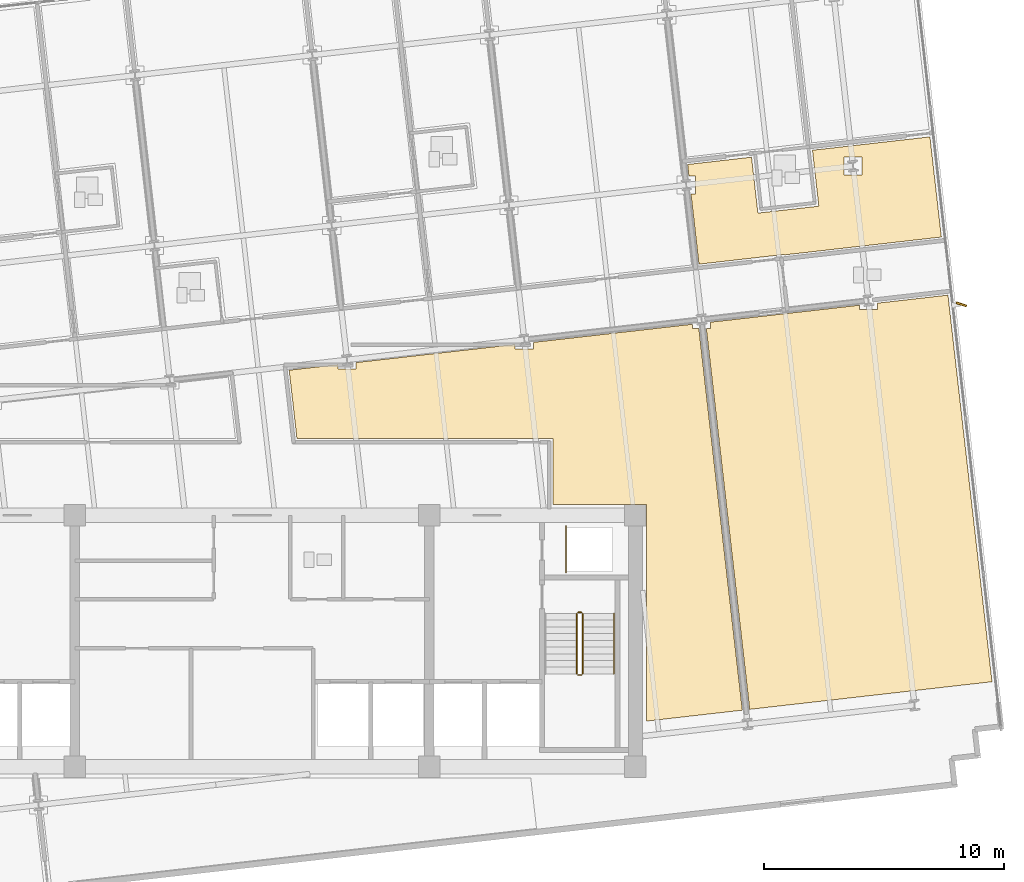
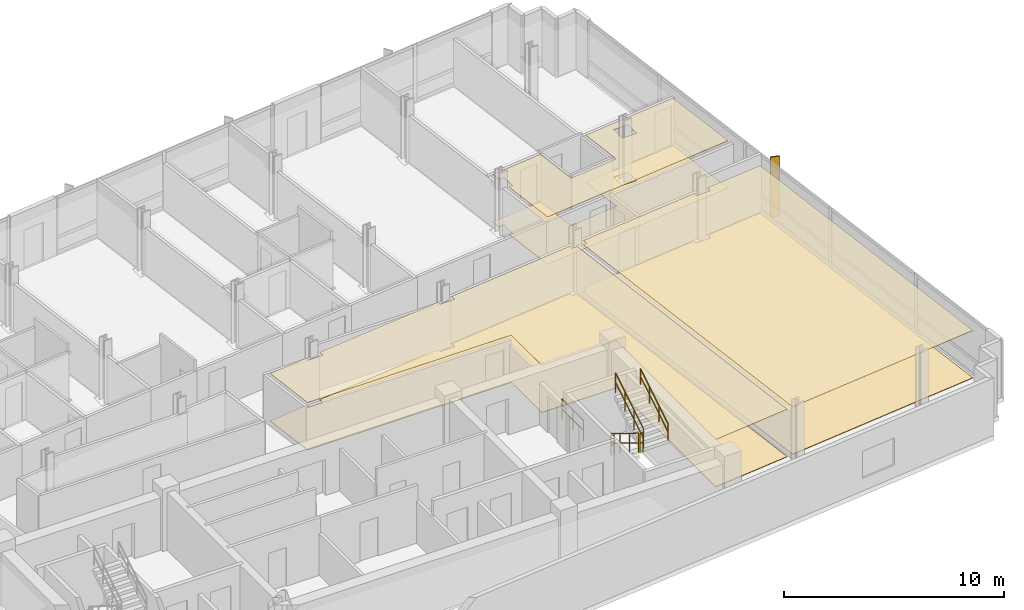
# One storey, part 14 of 16: 6 coverings, 6 railings, 1 shading device.
"""IFC4 building model written with IfcOpenShell, lengths in metres."""

import ifcopenshell
import ifcopenshell.guid

model = None  # the IFC model being written
_history = None  # IfcOwnerHistory: only IFC2X3 demands one
_inside = {}  # id of a spatial element -> (the spatial element, [elements in it])
_under = {}  # id of a project, library or spatial element -> (it, [spatial elements below it])
_declared = {}  # id of a project -> (the project, [libraries it declares])
_typed = {}  # id of a type object -> (the type object, [elements of that type])
_made_of = {}  # id of a material, layer set ... -> (it, [elements and type objects made of it])


def new_model(schema):
    """Start an empty IFC model of exactly this schema.

    Asked for "IFC4X3", IfcOpenShell would pick the latest addendum, in which some entities
    have other attributes; the version numbers below select the first issue.
    IFC2X3 requires an IfcOwnerHistory on every rooted entity: one is made here for all.
    """
    global model, _history
    if schema == "IFC4X3":
        model = ifcopenshell.file(schema_version=(4, 3, 0, 0))
    else:
        model = ifcopenshell.file(schema=schema)
    _inside.clear()
    _under.clear()
    _declared.clear()
    _typed.clear()
    _made_of.clear()
    _history = None
    if model.schema == "IFC2X3":
        org = make("IfcOrganization", Name="unknown")
        user = make(
            "IfcPersonAndOrganization",
            ThePerson=make("IfcPerson", FamilyName="unknown"),
            TheOrganization=org,
        )
        app = make(
            "IfcApplication",
            ApplicationDeveloper=org,
            Version="unknown",
            ApplicationFullName="unknown",
            ApplicationIdentifier="unknown",
        )
        _history = make(
            "IfcOwnerHistory",
            OwningUser=user,
            OwningApplication=app,
            ChangeAction="ADDED",
            CreationDate=0,
        )
    return model


def make(cls, **values):
    """One entity of the class cls with the attributes given. An attribute that is None is left unset."""
    return model.create_entity(
        cls, **{name: value for name, value in values.items() if value is not None}
    )


def rooted(cls, **values):
    """An entity with a GlobalId (a new one), such as an element, a storey or a relation."""
    return make(cls, GlobalId=ifcopenshell.guid.new(), OwnerHistory=_history, **values)


def si_unit(unit_type, name, prefix=None):
    """IfcSIUnit, for example si_unit("LENGTHUNIT", "METRE", prefix="MILLI")."""
    return make("IfcSIUnit", UnitType=unit_type, Prefix=prefix, Name=name)


def assignment(units):
    """IfcUnitAssignment: the units of a project."""
    return None if units is None else make("IfcUnitAssignment", Units=units)


def point(xyz):
    """IfcCartesianPoint."""
    return None if xyz is None else make("IfcCartesianPoint", Coordinates=xyz)


def direction(xyz):
    """IfcDirection."""
    return None if xyz is None else make("IfcDirection", DirectionRatios=xyz)


def frame(location, z_axis=None, x_axis=None):
    """IfcAxis2Placement3D, a coordinate frame: its origin and axes. An axis left out is left unset."""
    return make(
        "IfcAxis2Placement3D",
        Location=point(location),
        Axis=direction(z_axis),
        RefDirection=direction(x_axis),
    )


def frame_2d(location, x_axis=None):
    """IfcAxis2Placement2D, a coordinate frame in the plane: its origin and x axis."""
    return make(
        "IfcAxis2Placement2D", Location=point(location), RefDirection=direction(x_axis)
    )


def origin():
    """The frame at (0, 0, 0) with its axes left unset."""
    return frame((0.0, 0.0, 0.0))


def origin_2d():
    """The frame at (0, 0) in the plane with its x axis left unset."""
    return frame_2d((0.0, 0.0))


def place(relative_to, where):
    """IfcLocalPlacement: puts the frame where relative to a parent placement (None: the world)."""
    return make(
        "IfcLocalPlacement", PlacementRelTo=relative_to, RelativePlacement=where
    )


def context(
    kind, dimensions, precision=None, world=None, true_north=None, identifier=None
):
    """IfcGeometricRepresentationContext, for example the 3D "Model" context."""
    return make(
        "IfcGeometricRepresentationContext",
        ContextIdentifier=identifier,
        ContextType=kind,
        CoordinateSpaceDimension=dimensions,
        Precision=precision,
        WorldCoordinateSystem=world,
        TrueNorth=true_north,
    )


def subcontext(parent, identifier, kind, view, scale=None):
    """IfcGeometricRepresentationSubContext, for example "Body" below "Model"."""
    return make(
        "IfcGeometricRepresentationSubContext",
        ContextIdentifier=identifier,
        ContextType=kind,
        ParentContext=parent,
        TargetScale=scale,
        TargetView=view,
    )


def project(units=None, contexts=None):
    """IfcProject with its units and contexts."""
    return rooted(
        "IfcProject",
        Name="project",
        RepresentationContexts=contexts,
        UnitsInContext=assignment(units),
    )


def spatial(cls, under=None, at=None, **own):
    """A site, building, storey or space (cls), placed at a placement, below another one or the project."""
    s = rooted(cls, ObjectPlacement=at, **own)
    if under is not None:
        _under.setdefault(under.id(), (under, []))[1].append(s)
    return s


def polyline(points):
    """IfcPolyline through the points."""
    return make("IfcPolyline", Points=[point(p) for p in points])


def profile(cls, at=None, kind="AREA", **sizes):
    """A parametric profile (cls). Its sizes go by their IFC names, for example OverallWidth=200.0."""
    return make(cls, ProfileType=kind, Position=at, **sizes)


def rectangle(**sizes):
    """IfcRectangleProfileDef."""
    return profile("IfcRectangleProfileDef", **sizes)


def circle(**sizes):
    """IfcCircleProfileDef."""
    return profile("IfcCircleProfileDef", **sizes)


def outline(outer, holes=None, kind="AREA"):
    """IfcArbitraryClosedProfileDef: a profile drawn as a closed curve; with holes, ...WithVoids."""
    if holes is None:
        return make("IfcArbitraryClosedProfileDef", ProfileType=kind, OuterCurve=outer)
    return make(
        "IfcArbitraryProfileDefWithVoids",
        ProfileType=kind,
        OuterCurve=outer,
        InnerCurves=holes,
    )


def extrude(swept, where, along, depth):
    """IfcExtrudedAreaSolid: the profile swept, set in the frame where, extruded along a direction by depth."""
    return make(
        "IfcExtrudedAreaSolid",
        SweptArea=swept,
        Position=where,
        ExtrudedDirection=direction(along),
        Depth=depth,
    )


def shape(context_of_items, identifier, shape_type, items):
    """IfcShapeRepresentation: the items that make up one representation, for example the "Body"."""
    return make(
        "IfcShapeRepresentation",
        ContextOfItems=context_of_items,
        RepresentationIdentifier=identifier,
        RepresentationType=shape_type,
        Items=items,
    )


def material(Name=None, Category=None):
    """IfcMaterial."""
    return make("IfcMaterial", Name=Name, Category=Category)


def layer(
    of_material, thickness, ventilated=None, Name=None, Category=None, Priority=None
):
    """IfcMaterialLayer: one layer of a wall or slab, of a material (None: an air gap)."""
    return make(
        "IfcMaterialLayer",
        Material=of_material,
        LayerThickness=thickness,
        IsVentilated=ventilated,
        Name=Name,
        Category=Category,
        Priority=Priority,
    )


def layer_set(layers, Name=None):
    """IfcMaterialLayerSet."""
    return make("IfcMaterialLayerSet", MaterialLayers=layers, LayerSetName=Name)


def made_of(thing, what):
    """Note that an element or type object is made of a material, layer set ...; save() writes the relation."""
    if what is not None:
        _made_of.setdefault(what.id(), (what, []))[1].append(thing)
    return thing


def type_object(cls, material=None, **own):
    """A type object (cls), such as IfcWallType, which elements share."""
    return made_of(rooted(cls, **own), material)


def element(
    cls,
    number,
    at=None,
    inside=None,
    cuts=None,
    type_object=None,
    material=None,
    context=None,
    identifier="Body",
    shape_type=None,
    held_by="IfcProductDefinitionShape",
    body=None,
    shapes=None,
    **own,
):
    """One element of the class cls, such as IfcWall. Its Tag is "e" and its number.

    at: its placement. inside: the storey or other place that contains it. cuts: it is an
    opening in that element (IfcRelVoidsElement). A single representation is given by context,
    identifier, shape_type and body (its items); several are given by shapes. held_by: the class
    of the entity that holds the representations. save() writes the other relations.
    """
    e = rooted(cls, Tag="e%d" % number, ObjectPlacement=at, **own)
    if body is not None:
        shapes = [shape(context, identifier, shape_type, body)]
    if shapes is not None:
        e.Representation = make(held_by, Representations=shapes)
    if inside is not None:
        _inside.setdefault(inside.id(), (inside, []))[1].append(e)
    if cuts is not None:
        rooted(
            "IfcRelVoidsElement", RelatingBuildingElement=cuts, RelatedOpeningElement=e
        )
    if type_object is not None:
        _typed.setdefault(type_object.id(), (type_object, []))[1].append(e)
    return made_of(e, material)


def aggregate(whole, parts):
    """IfcRelAggregates: a whole, such as a stair, and the parts it consists of."""
    return rooted("IfcRelAggregates", RelatingObject=whole, RelatedObjects=parts)


def save(model, path):
    """Write the relations noted so far, then the file.

    IfcRelAggregates (storeys below a building ...), IfcRelContainedInSpatialStructure (elements
    in a storey), IfcRelDefinesByType, IfcRelAssociatesMaterial and IfcRelDeclares: one each for
    every whole, place, type object, material and project.
    """
    for whole, parts in _under.values():
        aggregate(whole, parts)
    for where, things in _inside.values():
        rooted(
            "IfcRelContainedInSpatialStructure",
            RelatedElements=things,
            RelatingStructure=where,
        )
    for kind, things in _typed.values():
        rooted("IfcRelDefinesByType", RelatedObjects=things, RelatingType=kind)
    for what, things in _made_of.values():
        rooted("IfcRelAssociatesMaterial", RelatedObjects=things, RelatingMaterial=what)
    for by, libraries in _declared.values():
        rooted("IfcRelDeclares", RelatingContext=by, RelatedDefinitions=libraries)
    model.write(path)


model = new_model("IFC4")

# Units and contexts
model_context = context("Model", 3, precision=1e-05, world=origin(), true_north=direction((0.0, 1.0)))
body_context = subcontext(model_context, "Body", "Model", "MODEL_VIEW")
ifc_project = project(units=[si_unit("LENGTHUNIT", "METRE"), si_unit("AREAUNIT", "SQUARE_METRE"), si_unit("VOLUMEUNIT", "CUBIC_METRE"), si_unit("PLANEANGLEUNIT", "RADIAN"), si_unit("MASSUNIT", "GRAM", prefix="KILO")], contexts=[model_context])

# Site, building, storey
site_placement = place(None, origin())
site = spatial("IfcSite", under=ifc_project, at=site_placement, CompositionType="ELEMENT")
building_placement = place(site_placement, origin())
building = spatial("IfcBuilding", under=site, at=building_placement, Name="Solmavex Isthmus Hotel", CompositionType="ELEMENT")
storey_placement = place(building_placement, frame((0.0, 0.0, 205.5)))
storey = spatial("IfcBuildingStorey", under=building, at=storey_placement, Name="L55", CompositionType="ELEMENT", Elevation=205.5)

# Coverings
ifc_material_1 = material(Name="Gypsum plasterboard lining", Category="gypsum")
ifc_layer_1 = layer(ifc_material_1, 0.030029296875)
ifc_layer_set_1 = layer_set([ifc_layer_1], Name="Gypsum plasterboard lining")
covering_type_1 = type_object("IfcCoveringType", Name="COV-CEIL-GYP", PredefinedType="CEILING", material=ifc_layer_set_1)
covering_1_placement = place(storey_placement, frame((0.0, 0.0, 2.6201171875)))
element("IfcCovering", 1, at=covering_1_placement, inside=storey, type_object=covering_type_1, Name="Suspended Acoustic Ceiling L55-ST06-FY", PredefinedType="CEILING", context=body_context, shape_type="SweptSolid", body=[
    extrude(outline(polyline([(18.177490234375, 12.14111328125), (18.23193359375, 11.6640625), (18.499267578125, 11.6640625), (18.499267578125, 10.904052734375), (18.318359375, 10.904052734375), (18.651611328125, 7.97998046875), (22.228515625, 8.3876953125), (22.230712890625, 8.36767578125), (28.766357421875, 9.1123046875), (28.2900390625, 13.293212890625), (23.3876953125, 12.73486328125), (23.65380859375, 10.39990234375), (21.1103515625, 10.110107421875), (20.84423828125, 12.445068359375), (18.177490234375, 12.14111328125)]), holes=[polyline([(24.7021484375, 11.697265625), (24.7021484375, 12.457275390625), (25.462158203125, 12.457275390625), (25.462158203125, 11.697265625), (24.7021484375, 11.697265625)])]), origin(), (0.0, 0.0, 1.0), 0.02978515625),
])
covering_2_placement = place(storey_placement, frame((0.0, 0.0, 2.6201171875)))
element("IfcCovering", 2, at=covering_2_placement, inside=storey, type_object=covering_type_1, Name="Suspended Acoustic Ceiling L55-FL13", PredefinedType="CEILING", context=body_context, shape_type="SweptSolid", body=[
    extrude(outline(polyline([(4.34228515625, 3.873779296875), (4.34228515625, 3.6064453125), (3.582275390625, 3.6064453125), (3.582275390625, 3.787109375), (1.547607421875, 3.555419921875), (1.872314453125, 0.705078125), (12.554931640625, 0.705078125), (12.554931640625, -2.044921875), (16.455078125, -2.044921875), (16.455078125, -11.09130859375), (20.46044921875, -10.634765625), (18.645751953125, 5.292236328125), (18.378662109375, 5.292236328125), (18.378662109375, 5.472900390625), (11.740478515625, 4.716796875), (11.740478515625, 4.449462890625), (10.98046875, 4.449462890625), (10.98046875, 4.630126953125), (4.34228515625, 3.873779296875)])), origin(), (0.0, 0.0, 1.0), 0.02978515625),
])
covering_3_placement = place(storey_placement, frame((0.0, 0.0, 2.6201171875)))
element("IfcCovering", 3, at=covering_3_placement, inside=storey, type_object=covering_type_1, Name="Suspended Acoustic Ceiling L55-FL14", PredefinedType="CEILING", context=body_context, shape_type="SweptSolid", body=[
    extrude(outline(polyline([(19.138427734375, 5.5595703125), (19.138427734375, 5.292236328125), (18.957763671875, 5.292236328125), (20.7685546875, -10.599853515625), (30.881103515625, -9.447509765625), (29.042724609375, 6.68798828125), (26.1015625, 6.35302734375), (26.1015625, 6.085693359375), (25.341552734375, 6.085693359375), (25.341552734375, 6.266357421875), (19.138427734375, 5.5595703125)])), origin(), (0.0, 0.0, 1.0), 0.02978515625),
])
ifc_material_2 = material(Name="Travertine natural stone", Category="masonry")
ifc_layer_2 = layer(ifc_material_2, 0.02490234375)
ifc_layer_set_2 = layer_set([ifc_layer_2], Name="Travertine natural stone")
covering_type_2 = type_object("IfcCoveringType", Name="COV-FLOR-STN", PredefinedType="FLOORING", material=ifc_layer_set_2)
covering_4_placement = place(storey_placement, origin())
element("IfcCovering", 4, at=covering_4_placement, inside=storey, type_object=covering_type_2, Name="Stone and Timber Floor Finish L55-ST06-FY", PredefinedType="FLOORING", context=body_context, shape_type="SweptSolid", body=[
    extrude(outline(polyline([(18.177490234375, 12.14111328125), (18.23193359375, 11.6640625), (18.499267578125, 11.6640625), (18.499267578125, 10.904052734375), (18.318359375, 10.904052734375), (18.651611328125, 7.97998046875), (22.228515625, 8.3876953125), (22.230712890625, 8.36767578125), (28.766357421875, 9.1123046875), (28.2900390625, 13.293212890625), (23.3876953125, 12.73486328125), (23.65380859375, 10.39990234375), (21.1103515625, 10.110107421875), (20.84423828125, 12.445068359375), (18.177490234375, 12.14111328125)]), holes=[polyline([(24.7021484375, 11.697265625), (24.7021484375, 12.457275390625), (25.462158203125, 12.457275390625), (25.462158203125, 11.697265625), (24.7021484375, 11.697265625)])]), origin(), (0.0, 0.0, 1.0), 0.02490234375),
])
covering_5_placement = place(storey_placement, origin())
element("IfcCovering", 5, at=covering_5_placement, inside=storey, type_object=covering_type_2, Name="Stone and Timber Floor Finish L55-FL13", PredefinedType="FLOORING", context=body_context, shape_type="SweptSolid", body=[
    extrude(outline(polyline([(4.34228515625, 3.873779296875), (4.34228515625, 3.6064453125), (3.582275390625, 3.6064453125), (3.582275390625, 3.787109375), (1.547607421875, 3.555419921875), (1.872314453125, 0.705078125), (12.554931640625, 0.705078125), (12.554931640625, -2.044921875), (16.455078125, -2.044921875), (16.455078125, -11.09130859375), (20.46044921875, -10.634765625), (18.645751953125, 5.292236328125), (18.378662109375, 5.292236328125), (18.378662109375, 5.472900390625), (11.740478515625, 4.716796875), (11.740478515625, 4.449462890625), (10.98046875, 4.449462890625), (10.98046875, 4.630126953125), (4.34228515625, 3.873779296875)])), origin(), (0.0, 0.0, 1.0), 0.02490234375),
])
covering_6_placement = place(storey_placement, origin())
element("IfcCovering", 6, at=covering_6_placement, inside=storey, type_object=covering_type_2, Name="Stone and Timber Floor Finish L55-FL14", PredefinedType="FLOORING", context=body_context, shape_type="SweptSolid", body=[
    extrude(outline(polyline([(19.138427734375, 5.5595703125), (19.138427734375, 5.292236328125), (18.957763671875, 5.292236328125), (20.7685546875, -10.599853515625), (30.881103515625, -9.447509765625), (29.042724609375, 6.68798828125), (26.1015625, 6.35302734375), (26.1015625, 6.085693359375), (25.341552734375, 6.085693359375), (25.341552734375, 6.266357421875), (19.138427734375, 5.5595703125)])), origin(), (0.0, 0.0, 1.0), 0.02490234375),
])

# Railings
ifc_material_3 = material(Name="Clear low-E laminated glass", Category="glass")
ifc_layer_3 = layer(ifc_material_3, 0.080078125)
ifc_layer_set_3 = layer_set([ifc_layer_3], Name="Clear low-E laminated glass")
railing_type_1 = type_object("IfcRailingType", Name="RAIL-ATRIUM-1120", PredefinedType="BALUSTRADE", material=ifc_layer_set_3)
railing_1_placement = place(storey_placement, frame((13.10009765625, -4.89990234375, 0.0)))
element("IfcRailing", 7, at=railing_1_placement, inside=storey, type_object=railing_type_1, Name="Guardrail Balustrade L55-RSE-01", PredefinedType="BALUSTRADE", context=body_context, shape_type="SweptSolid", body=[
    extrude(circle(Radius=0.02392578125, at=origin_2d()), frame((0.0, 0.0, 1.1259765625), z_axis=(0.0, 1.0, 0.0), x_axis=(-1.0, 0.0, 0.0)), (0.0, 0.0, 1.0), 1.949951171875),
    extrude(circle(Radius=0.02392578125, at=origin_2d()), frame((0.0, 0.0, 0.574951171875), z_axis=(0.0, 1.0, 0.0), x_axis=(-1.0, 0.0, 0.0)), (0.0, 0.0, 1.0), 1.949951171875),
    extrude(circle(Radius=0.02099609375, at=origin_2d()), origin(), (0.0, 0.0, 1.0), 1.101806640625),
    extrude(circle(Radius=0.02099609375, at=origin_2d()), frame((0.0, 0.97509765625, 0.0)), (0.0, 0.0, 1.0), 1.101806640625),
    extrude(circle(Radius=0.02099609375, at=origin_2d()), frame((0.0, 1.949951171875, 0.0)), (0.0, 0.0, 1.0), 1.101806640625),
])
ifc_material_4 = material(Name="Stainless steel 316", Category="steel")
ifc_layer_4 = layer(ifc_material_4, 0.06005859375)
ifc_layer_set_4 = layer_set([ifc_layer_4], Name="Stainless steel 316")
railing_type_2 = type_object("IfcRailingType", Name="RAIL-STAIR-GD", PredefinedType="GUARDRAIL", material=ifc_layer_set_4)
railing_2_placement = place(storey_placement, frame((13.550048828125, -6.60009765625, 0.172607421875)))
element("IfcRailing", 8, at=railing_2_placement, inside=storey, type_object=railing_type_2, Name="L55 ST-2 stair guard 1", PredefinedType="GUARDRAIL", context=body_context, shape_type="SweptSolid", body=[
    extrude(circle(Radius=0.02392578125, at=origin_2d()), frame((0.0, 0.0, 1.09619140625), z_axis=(0.0, -0.851400495292, 0.524516154772), x_axis=(1.0, 0.0, 0.0)), (0.0, 0.0, 1.0), 2.9599609375),
    extrude(circle(Radius=0.02392578125, at=origin_2d()), frame((0.0, 0.0, 0.56005859375), z_axis=(0.0, -0.851400495292, 0.524516154772), x_axis=(1.0, 0.0, 0.0)), (0.0, 0.0, 1.0), 2.9599609375),
    extrude(circle(Radius=0.02099609375, at=origin_2d()), origin(), (0.0, 0.0, 1.0), 1.072021484375),
    extrude(circle(Radius=0.02099609375, at=origin_2d()), frame((0.0, -0.840087890625, 0.517578125)), (0.0, 0.0, 1.0), 1.072021484375),
    extrude(circle(Radius=0.02099609375, at=origin_2d()), frame((0.0, -1.679931640625, 1.034912109375)), (0.0, 0.0, 1.0), 1.072021484375),
    extrude(circle(Radius=0.02099609375, at=origin_2d()), frame((0.0, -2.52001953125, 1.552490234375)), (0.0, 0.0, 1.0), 1.072021484375),
])
railing_3_placement = place(storey_placement, frame((13.60009765625, -9.169921875, 1.72509765625)))
element("IfcRailing", 9, at=railing_3_placement, inside=storey, type_object=railing_type_2, Name="L55 ST-2 stair guard 2", PredefinedType="GUARDRAIL", context=body_context, shape_type="SweptSolid", body=[
    extrude(circle(Radius=0.02392578125, at=origin_2d()), frame((0.0, 0.0, 1.09619140625), z_axis=(1.0, 0.0, 0.0), x_axis=(0.0, 1.0, 0.0)), (0.0, 0.0, 1.0), 0.14990234375),
    extrude(circle(Radius=0.02392578125, at=origin_2d()), frame((0.0, 0.0, 0.56005859375), z_axis=(1.0, 0.0, 0.0), x_axis=(0.0, 1.0, 0.0)), (0.0, 0.0, 1.0), 0.14990234375),
    extrude(circle(Radius=0.02099609375, at=origin_2d()), origin(), (0.0, 0.0, 1.0), 1.072021484375),
    extrude(circle(Radius=0.02099609375, at=origin_2d()), frame((0.14990234375, 0.0, 0.0)), (0.0, 0.0, 1.0), 1.072021484375),
])
railing_4_placement = place(storey_placement, frame((13.800048828125, -9.1201171875, 1.8974609375)))
element("IfcRailing", 10, at=railing_4_placement, inside=storey, type_object=railing_type_2, Name="L55 ST-2 stair guard 3", PredefinedType="GUARDRAIL", context=body_context, shape_type="SweptSolid", body=[
    extrude(circle(Radius=0.02392578125, at=origin_2d()), frame((0.0, 0.0, 1.09619140625), z_axis=(0.0, 0.851400495292, 0.524516154772), x_axis=(-1.0, 0.0, 0.0)), (0.0, 0.0, 1.0), 2.9599609375),
    extrude(circle(Radius=0.02392578125, at=origin_2d()), frame((0.0, 0.0, 0.56005859375), z_axis=(0.0, 0.851400495292, 0.524516154772), x_axis=(-1.0, 0.0, 0.0)), (0.0, 0.0, 1.0), 2.9599609375),
    extrude(circle(Radius=0.02099609375, at=origin_2d()), origin(), (0.0, 0.0, 1.0), 1.072021484375),
    extrude(circle(Radius=0.02099609375, at=origin_2d()), frame((0.0, 0.840087890625, 0.517578125)), (0.0, 0.0, 1.0), 1.072021484375),
    extrude(circle(Radius=0.02099609375, at=origin_2d()), frame((0.0, 1.679931640625, 1.034912109375)), (0.0, 0.0, 1.0), 1.072021484375),
    extrude(circle(Radius=0.02099609375, at=origin_2d()), frame((0.0, 2.52001953125, 1.552490234375)), (0.0, 0.0, 1.0), 1.072021484375),
])
railing_5_placement = place(storey_placement, frame((13.60009765625, -6.550048828125, 0.0)))
element("IfcRailing", 11, at=railing_5_placement, inside=storey, type_object=railing_type_2, Name="L55 ST-2 stair guard 4", PredefinedType="GUARDRAIL", context=body_context, shape_type="SweptSolid", body=[
    extrude(circle(Radius=0.02392578125, at=origin_2d()), frame((0.0, 0.0, 1.09619140625), z_axis=(1.0, 0.0, 0.0), x_axis=(0.0, 1.0, 0.0)), (0.0, 0.0, 1.0), 0.14990234375),
    extrude(circle(Radius=0.02392578125, at=origin_2d()), frame((0.0, 0.0, 0.56005859375), z_axis=(1.0, 0.0, 0.0), x_axis=(0.0, 1.0, 0.0)), (0.0, 0.0, 1.0), 0.14990234375),
    extrude(circle(Radius=0.02099609375, at=origin_2d()), origin(), (0.0, 0.0, 1.0), 1.072021484375),
    extrude(circle(Radius=0.02099609375, at=origin_2d()), frame((0.14990234375, 0.0, 0.0)), (0.0, 0.0, 1.0), 1.072021484375),
])
ifc_layer_5 = layer(ifc_material_4, 0.050048828125)
ifc_layer_set_5 = layer_set([ifc_layer_5], Name="Stainless steel 316")
railing_type_3 = type_object("IfcRailingType", Name="RAIL-STAIR-HR", PredefinedType="HANDRAIL", material=ifc_layer_set_5)
railing_6_placement = place(storey_placement, frame((15.10009765625, -9.1201171875, 1.8974609375)))
element("IfcRailing", 12, at=railing_6_placement, inside=storey, type_object=railing_type_3, Name="L55 ST-2 stair handrail 2", PredefinedType="HANDRAIL", context=body_context, shape_type="SweptSolid", body=[
    extrude(circle(Radius=0.02392578125, at=origin_2d()), frame((0.0, 0.0, 0.8759765625), z_axis=(0.0, 0.851400495292, 0.524516154772), x_axis=(-1.0, 0.0, 0.0)), (0.0, 0.0, 1.0), 2.9599609375),
    extrude(circle(Radius=0.02392578125, at=origin_2d()), frame((0.0, 0.0, 0.449951171875), z_axis=(0.0, 0.851400495292, 0.524516154772), x_axis=(-1.0, 0.0, 0.0)), (0.0, 0.0, 1.0), 2.9599609375),
    extrude(circle(Radius=0.02099609375, at=origin_2d()), origin(), (0.0, 0.0, 1.0), 0.851806640625),
    extrude(circle(Radius=0.02099609375, at=origin_2d()), frame((0.0, 0.840087890625, 0.517578125)), (0.0, 0.0, 1.0), 0.851806640625),
    extrude(circle(Radius=0.02099609375, at=origin_2d()), frame((0.0, 1.679931640625, 1.034912109375)), (0.0, 0.0, 1.0), 0.851806640625),
    extrude(circle(Radius=0.02099609375, at=origin_2d()), frame((0.0, 2.52001953125, 1.552490234375)), (0.0, 0.0, 1.0), 0.851806640625),
])

# Shading device
ifc_material_5 = material(Name="Aluminium alloy 6063-T6", Category="aluminium")
shading_device_type = type_object("IfcShadingDeviceType", Name="SHD-FIN-BRONZE", PredefinedType="USERDEFINED", material=ifc_material_5)
shading_device_placement = place(storey_placement, frame((29.604736328125, 6.30419921875, -0.14013671875), z_axis=(0.0, 0.0, 1.0), x_axis=(0.953716950748, -0.300705799504, 0.0)))
element("IfcShadingDevice", 13, at=shading_device_placement, inside=storey, type_object=shading_device_type, Name="Anodised Aluminium Solar Fin L55-E1", ObjectType="SOLAR_FIN", PredefinedType="USERDEFINED", context=body_context, shape_type="SweptSolid", body=[
    extrude(rectangle(XDim=0.449951171875, YDim=0.080078125, at=origin_2d()), origin(), (0.0, 0.0, 1.0), 3.330078125),
])

save(model, "model.ifc")
